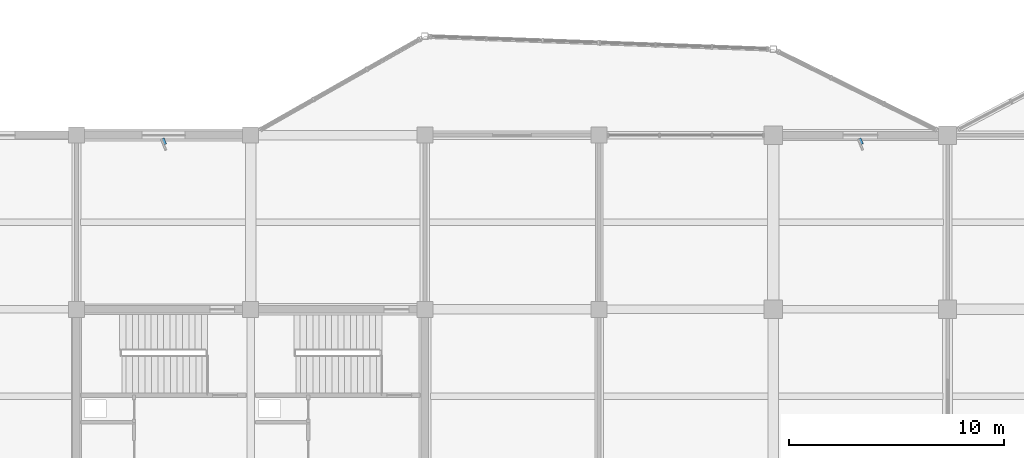
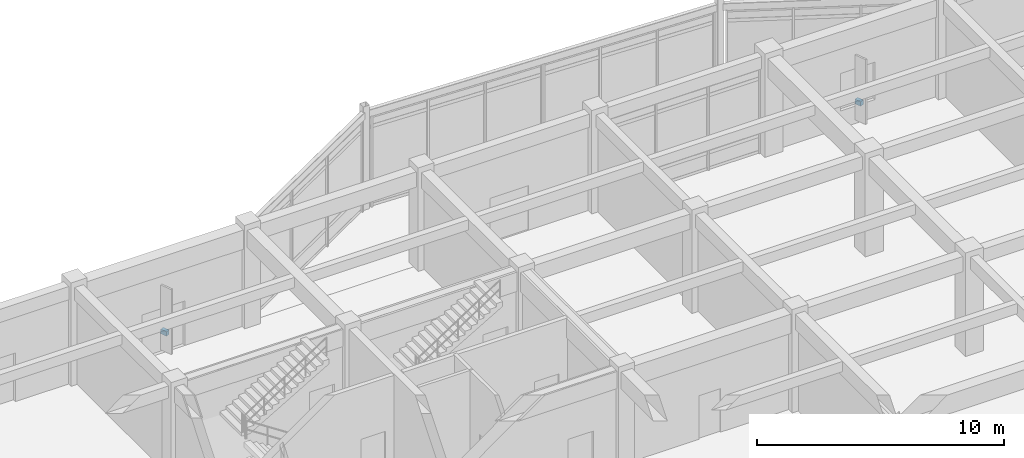
# One storey, part 85 of 99: 2 discrete accessories.
"""IFC4 building model written with IfcOpenShell, lengths in metres."""

import ifcopenshell
import ifcopenshell.guid

model = None  # the IFC model being written
_history = None  # IfcOwnerHistory: only IFC2X3 demands one
_inside = {}  # id of a spatial element -> (the spatial element, [elements in it])
_under = {}  # id of a project, library or spatial element -> (it, [spatial elements below it])
_declared = {}  # id of a project -> (the project, [libraries it declares])
_typed = {}  # id of a type object -> (the type object, [elements of that type])
_made_of = {}  # id of a material, layer set ... -> (it, [elements and type objects made of it])


def new_model(schema):
    """Start an empty IFC model of exactly this schema.

    Asked for "IFC4X3", IfcOpenShell would pick the latest addendum, in which some entities
    have other attributes; the version numbers below select the first issue.
    IFC2X3 requires an IfcOwnerHistory on every rooted entity: one is made here for all.
    """
    global model, _history
    if schema == "IFC4X3":
        model = ifcopenshell.file(schema_version=(4, 3, 0, 0))
    else:
        model = ifcopenshell.file(schema=schema)
    _inside.clear()
    _under.clear()
    _declared.clear()
    _typed.clear()
    _made_of.clear()
    _history = None
    if model.schema == "IFC2X3":
        org = make("IfcOrganization", Name="unknown")
        user = make(
            "IfcPersonAndOrganization",
            ThePerson=make("IfcPerson", FamilyName="unknown"),
            TheOrganization=org,
        )
        app = make(
            "IfcApplication",
            ApplicationDeveloper=org,
            Version="unknown",
            ApplicationFullName="unknown",
            ApplicationIdentifier="unknown",
        )
        _history = make(
            "IfcOwnerHistory",
            OwningUser=user,
            OwningApplication=app,
            ChangeAction="ADDED",
            CreationDate=0,
        )
    return model


def make(cls, **values):
    """One entity of the class cls with the attributes given. An attribute that is None is left unset."""
    return model.create_entity(
        cls, **{name: value for name, value in values.items() if value is not None}
    )


def rooted(cls, **values):
    """An entity with a GlobalId (a new one), such as an element, a storey or a relation."""
    return make(cls, GlobalId=ifcopenshell.guid.new(), OwnerHistory=_history, **values)


def si_unit(unit_type, name, prefix=None):
    """IfcSIUnit, for example si_unit("LENGTHUNIT", "METRE", prefix="MILLI")."""
    return make("IfcSIUnit", UnitType=unit_type, Prefix=prefix, Name=name)


def assignment(units):
    """IfcUnitAssignment: the units of a project."""
    return None if units is None else make("IfcUnitAssignment", Units=units)


def point(xyz):
    """IfcCartesianPoint."""
    return None if xyz is None else make("IfcCartesianPoint", Coordinates=xyz)


def direction(xyz):
    """IfcDirection."""
    return None if xyz is None else make("IfcDirection", DirectionRatios=xyz)


def frame(location, z_axis=None, x_axis=None):
    """IfcAxis2Placement3D, a coordinate frame: its origin and axes. An axis left out is left unset."""
    return make(
        "IfcAxis2Placement3D",
        Location=point(location),
        Axis=direction(z_axis),
        RefDirection=direction(x_axis),
    )


def frame_2d(location, x_axis=None):
    """IfcAxis2Placement2D, a coordinate frame in the plane: its origin and x axis."""
    return make(
        "IfcAxis2Placement2D", Location=point(location), RefDirection=direction(x_axis)
    )


def origin():
    """The frame at (0, 0, 0) with its axes left unset."""
    return frame((0.0, 0.0, 0.0))


def origin_2d():
    """The frame at (0, 0) in the plane with its x axis left unset."""
    return frame_2d((0.0, 0.0))


def place(relative_to, where):
    """IfcLocalPlacement: puts the frame where relative to a parent placement (None: the world)."""
    return make(
        "IfcLocalPlacement", PlacementRelTo=relative_to, RelativePlacement=where
    )


def context(
    kind, dimensions, precision=None, world=None, true_north=None, identifier=None
):
    """IfcGeometricRepresentationContext, for example the 3D "Model" context."""
    return make(
        "IfcGeometricRepresentationContext",
        ContextIdentifier=identifier,
        ContextType=kind,
        CoordinateSpaceDimension=dimensions,
        Precision=precision,
        WorldCoordinateSystem=world,
        TrueNorth=true_north,
    )


def subcontext(parent, identifier, kind, view, scale=None):
    """IfcGeometricRepresentationSubContext, for example "Body" below "Model"."""
    return make(
        "IfcGeometricRepresentationSubContext",
        ContextIdentifier=identifier,
        ContextType=kind,
        ParentContext=parent,
        TargetScale=scale,
        TargetView=view,
    )


def project(units=None, contexts=None):
    """IfcProject with its units and contexts."""
    return rooted(
        "IfcProject",
        Name="project",
        RepresentationContexts=contexts,
        UnitsInContext=assignment(units),
    )


def spatial(cls, under=None, at=None, **own):
    """A site, building, storey or space (cls), placed at a placement, below another one or the project."""
    s = rooted(cls, ObjectPlacement=at, **own)
    if under is not None:
        _under.setdefault(under.id(), (under, []))[1].append(s)
    return s


def profile(cls, at=None, kind="AREA", **sizes):
    """A parametric profile (cls). Its sizes go by their IFC names, for example OverallWidth=200.0."""
    return make(cls, ProfileType=kind, Position=at, **sizes)


def rectangle(**sizes):
    """IfcRectangleProfileDef."""
    return profile("IfcRectangleProfileDef", **sizes)


def extrude(swept, where, along, depth):
    """IfcExtrudedAreaSolid: the profile swept, set in the frame where, extruded along a direction by depth."""
    return make(
        "IfcExtrudedAreaSolid",
        SweptArea=swept,
        Position=where,
        ExtrudedDirection=direction(along),
        Depth=depth,
    )


def shape(context_of_items, identifier, shape_type, items):
    """IfcShapeRepresentation: the items that make up one representation, for example the "Body"."""
    return make(
        "IfcShapeRepresentation",
        ContextOfItems=context_of_items,
        RepresentationIdentifier=identifier,
        RepresentationType=shape_type,
        Items=items,
    )


def material(Name=None, Category=None):
    """IfcMaterial."""
    return make("IfcMaterial", Name=Name, Category=Category)


def made_of(thing, what):
    """Note that an element or type object is made of a material, layer set ...; save() writes the relation."""
    if what is not None:
        _made_of.setdefault(what.id(), (what, []))[1].append(thing)
    return thing


def type_object(cls, material=None, **own):
    """A type object (cls), such as IfcWallType, which elements share."""
    return made_of(rooted(cls, **own), material)


def element(
    cls,
    number,
    at=None,
    inside=None,
    cuts=None,
    type_object=None,
    material=None,
    context=None,
    identifier="Body",
    shape_type=None,
    held_by="IfcProductDefinitionShape",
    body=None,
    shapes=None,
    **own,
):
    """One element of the class cls, such as IfcWall. Its Tag is "e" and its number.

    at: its placement. inside: the storey or other place that contains it. cuts: it is an
    opening in that element (IfcRelVoidsElement). A single representation is given by context,
    identifier, shape_type and body (its items); several are given by shapes. held_by: the class
    of the entity that holds the representations. save() writes the other relations.
    """
    e = rooted(cls, Tag="e%d" % number, ObjectPlacement=at, **own)
    if body is not None:
        shapes = [shape(context, identifier, shape_type, body)]
    if shapes is not None:
        e.Representation = make(held_by, Representations=shapes)
    if inside is not None:
        _inside.setdefault(inside.id(), (inside, []))[1].append(e)
    if cuts is not None:
        rooted(
            "IfcRelVoidsElement", RelatingBuildingElement=cuts, RelatedOpeningElement=e
        )
    if type_object is not None:
        _typed.setdefault(type_object.id(), (type_object, []))[1].append(e)
    return made_of(e, material)


def aggregate(whole, parts):
    """IfcRelAggregates: a whole, such as a stair, and the parts it consists of."""
    return rooted("IfcRelAggregates", RelatingObject=whole, RelatedObjects=parts)


def save(model, path):
    """Write the relations noted so far, then the file.

    IfcRelAggregates (storeys below a building ...), IfcRelContainedInSpatialStructure (elements
    in a storey), IfcRelDefinesByType, IfcRelAssociatesMaterial and IfcRelDeclares: one each for
    every whole, place, type object, material and project.
    """
    for whole, parts in _under.values():
        aggregate(whole, parts)
    for where, things in _inside.values():
        rooted(
            "IfcRelContainedInSpatialStructure",
            RelatedElements=things,
            RelatingStructure=where,
        )
    for kind, things in _typed.values():
        rooted("IfcRelDefinesByType", RelatedObjects=things, RelatingType=kind)
    for what, things in _made_of.values():
        rooted("IfcRelAssociatesMaterial", RelatedObjects=things, RelatingMaterial=what)
    for by, libraries in _declared.values():
        rooted("IfcRelDeclares", RelatingContext=by, RelatedDefinitions=libraries)
    model.write(path)


model = new_model("IFC4")

# Units and contexts
model_context = context("Model", 3, precision=1e-05, world=origin(), true_north=direction((0.0, 1.0)))
body_context = subcontext(model_context, "Body", "Model", "MODEL_VIEW")
ifc_project = project(units=[si_unit("LENGTHUNIT", "METRE"), si_unit("AREAUNIT", "SQUARE_METRE"), si_unit("VOLUMEUNIT", "CUBIC_METRE"), si_unit("PLANEANGLEUNIT", "RADIAN"), si_unit("MASSUNIT", "GRAM", prefix="KILO")], contexts=[model_context])

# Site, building, storey
site_placement = place(None, origin())
site = spatial("IfcSite", under=ifc_project, at=site_placement, CompositionType="ELEMENT")
building_placement = place(site_placement, origin())
building = spatial("IfcBuilding", under=site, at=building_placement, Name="Vaudrelin Polytechnic", CompositionType="ELEMENT")
storey_placement = place(building_placement, origin())
storey = spatial("IfcBuildingStorey", under=building, at=storey_placement, Name="L00", CompositionType="ELEMENT", Elevation=0.0)

# Discrete accessories
ifc_material = material(Name="Galvanised steel CSA G40.21 350W", Category="steel")
discrete_accessory_type = type_object("IfcDiscreteAccessoryType", Name="ENV-BRK-01", PredefinedType="BRACKET", material=ifc_material)
for number, where, z_axis, x_axis, name in (
    (1, (109.35009765625, 121.199951171875, 0.990234375), (0.0, 0.0, 1.0), (0.374606593416, -0.927183854567, 0.0), "Solar fin support bracket BRK-009"),
    (2, (141.75, 121.205078125, 0.990234375), (0.0, 0.0, 1.0), (0.374606593416, -0.927183854567, 0.0), "Solar fin support bracket BRK-010"),
):
    element("IfcDiscreteAccessory", number, at=place(storey_placement, frame(where, z_axis=z_axis, x_axis=x_axis)), inside=storey, type_object=discrete_accessory_type, Name=name, PredefinedType="BRACKET", context=body_context, shape_type="SweptSolid", body=[
        extrude(rectangle(XDim=0.300048828125, YDim=0.179931640625, at=origin_2d()), origin(), (0.0, 0.0, 1.0), 0.219970703125),
    ])

save(model, "model.ifc")
